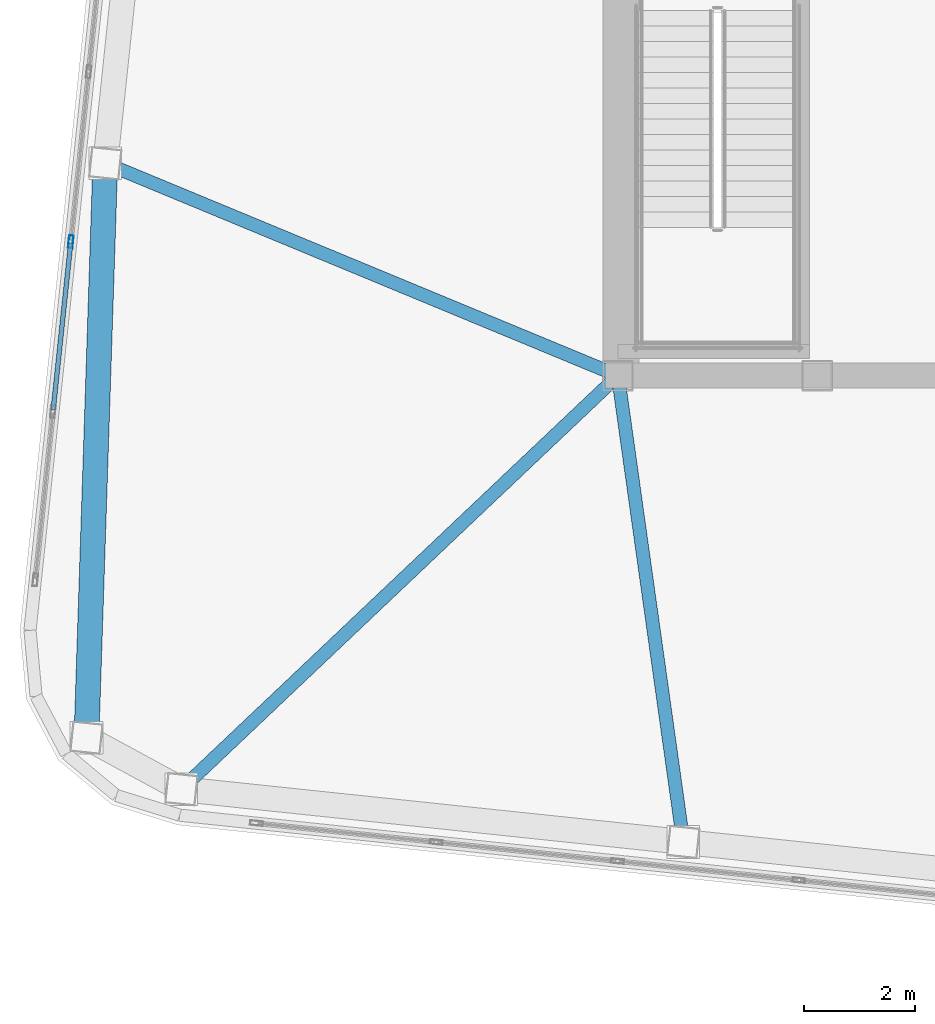
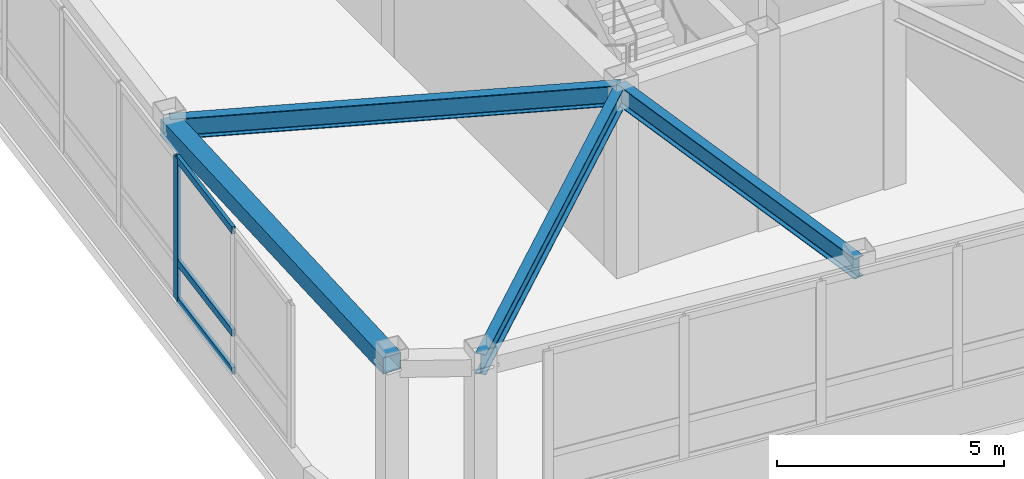
# One storey, part 3 of 23: 4 beams, 4 members, 1 element without a shape of its own.
"""IFC4 building model written with IfcOpenShell, lengths in metres."""

from ifc_helpers import new_model, si_unit, direction, frame, origin, origin_2d, place, context, subcontext, project, spatial, hollow_rectangle, i_section, extrude, material, layer, layer_set, material_profile, profile_set, type_object, element, aggregate, save


model = new_model("IFC4")

# Units and contexts
model_context = context("Model", 3, precision=1e-05, world=origin(), true_north=direction((0.0, 1.0)))
body_context = subcontext(model_context, "Body", "Model", "MODEL_VIEW")
ifc_project = project(units=[si_unit("LENGTHUNIT", "METRE"), si_unit("AREAUNIT", "SQUARE_METRE"), si_unit("VOLUMEUNIT", "CUBIC_METRE"), si_unit("PLANEANGLEUNIT", "RADIAN"), si_unit("MASSUNIT", "GRAM", prefix="KILO")], contexts=[model_context])

# Site, building, storey
site_placement = place(None, origin())
site = spatial("IfcSite", under=ifc_project, at=site_placement, CompositionType="ELEMENT")
building_placement = place(site_placement, origin())
building = spatial("IfcBuilding", under=site, at=building_placement, Name="Voryun Gate Residences", CompositionType="ELEMENT")
storey_placement = place(building_placement, frame((0.0, 0.0, 331.89990234375)))
storey = spatial("IfcBuildingStorey", under=building, at=storey_placement, Name="L81", CompositionType="ELEMENT", Elevation=331.89990234375)

# Beams
ifc_material_1 = material(Name="Steel SM355", Category="steel")
ifc_material_profile_1 = material_profile(ifc_material_1, hollow_rectangle(XDim=0.449951171875, YDim=0.449951171875, WallThickness=0.01806640625, at=origin_2d()), Name="BOX-450x450x18")
ifc_profile_set_1 = profile_set([ifc_material_profile_1], Name="Steel SM355")
beam_type_1 = type_object("IfcBeamType", Name="BM_CROWN_RING", PredefinedType="BEAM", material=ifc_profile_set_1)
beam_1_placement = place(storey_placement, frame((-28.464111328125, -3.56201171875, 4.800048828125), z_axis=(-0.032704208853, -0.999465074289, 0.0), x_axis=(0.999465074289, -0.032704208853, 0.0)))
element("IfcBeam", 1, at=beam_1_placement, inside=storey, type_object=beam_type_1, Name="BM-L81-SPAND-19", PredefinedType="BEAM", context=body_context, shape_type="SweptSolid", body=[
    extrude(hollow_rectangle(XDim=0.449951171875, YDim=0.449951171875, WallThickness=0.01806640625, at=origin_2d()), origin(), (0.0, 0.0, 1.0), 10.384033203125),
])
ifc_material_2 = material(Name="Steel SM355", Category="steel")
ifc_material_profile_2 = material_profile(ifc_material_2, i_section(OverallWidth=0.239990234375, OverallDepth=0.550048828125, WebThickness=0.011962890625, FlangeThickness=0.02001953125, FilletRadius=0.01806640625, at=origin_2d()), Name="H-550x240x12x20")
ifc_profile_set_2 = profile_set([ifc_material_profile_2], Name="Steel SM355")
beam_type_2 = type_object("IfcBeamType", Name="BM_GIRD_550", PredefinedType="USERDEFINED", material=ifc_profile_set_2)
beam_2_placement = place(storey_placement, frame((-19.199951171875, -7.39990234375, 4.75), z_axis=(-0.726024122139, -0.687669233042, 0.0), x_axis=(0.687669233042, -0.726024122139, 0.0)))
element("IfcBeam", 2, at=beam_2_placement, inside=storey, type_object=beam_type_2, Name="BM-L81-RAD-S1", ObjectType="GIRDER", PredefinedType="USERDEFINED", context=body_context, shape_type="SweptSolid", body=[
    extrude(i_section(OverallWidth=0.239990234375, OverallDepth=0.550048828125, WebThickness=0.011962890625, FlangeThickness=0.02001953125, FilletRadius=0.01806640625, at=origin_2d()), origin(), (0.0, 0.0, 1.0), 10.865478515625),
])
beam_3_placement = place(storey_placement, frame((-19.199951171875, -7.39990234375, 4.75), z_axis=(0.138865687617, -0.990311224213, 0.0), x_axis=(0.990311224213, 0.138865687617, 0.0)))
element("IfcBeam", 3, at=beam_3_placement, inside=storey, type_object=beam_type_2, Name="BM-L81-RAD-S2", ObjectType="GIRDER", PredefinedType="USERDEFINED", context=body_context, shape_type="SweptSolid", body=[
    extrude(i_section(OverallWidth=0.239990234375, OverallDepth=0.550048828125, WebThickness=0.011962890625, FlangeThickness=0.02001953125, FilletRadius=0.01806640625, at=origin_2d()), origin(), (0.0, 0.0, 1.0), 8.507568359375),
])
beam_4_placement = place(storey_placement, frame((-19.199951171875, -7.39990234375, 4.75), z_axis=(-0.923860145027, 0.382730234539, 0.0), x_axis=(-0.382730234539, -0.923860145027, 0.0)))
element("IfcBeam", 4, at=beam_4_placement, inside=storey, type_object=beam_type_2, Name="BM-L81-RAD-W2", ObjectType="GIRDER", PredefinedType="USERDEFINED", context=body_context, shape_type="SweptSolid", body=[
    extrude(i_section(OverallWidth=0.239990234375, OverallDepth=0.550048828125, WebThickness=0.011962890625, FlangeThickness=0.02001953125, FilletRadius=0.01806640625, at=origin_2d()), origin(), (0.0, 0.0, 1.0), 10.027587890625),
])

# Curtain wall, members
ifc_material_3 = material(Name="Anodised aluminium", Category="aluminium")
ifc_layer = layer(ifc_material_3, 0.22998046875, Name="CW_SYS_LANTERN_DARK_GLASS")
ifc_layer_set = layer_set([ifc_layer], Name="Anodised aluminium")
curtain_wall_type = type_object("IfcCurtainWallType", Name="CW_SYS_LANTERN_DARK_GLASS", PredefinedType="NOTDEFINED", material=ifc_layer_set)
curtain_wall_placement = place(storey_placement, origin())
curtain_wall = element("IfcCurtainWall", 5, at=curtain_wall_placement, inside=storey, type_object=curtain_wall_type, Name="Curtain wall CW6-L81-06", PredefinedType="NOTDEFINED")
ifc_material_4 = material(Name="Anodised aluminium", Category="aluminium")
ifc_material_profile_3 = material_profile(ifc_material_4, hollow_rectangle(XDim=0.0849609375, YDim=0.22998046875, WallThickness=0.006103515625, at=origin_2d()), Name="ALU-MULL-230x85x6")
ifc_profile_set_3 = profile_set([ifc_material_profile_3], Name="Anodised aluminium")
member_type_1 = type_object("IfcMemberType", Name="CW_MULL_LANT", PredefinedType="MULLION", material=ifc_profile_set_3)
member_1_placement = place(storey_placement, frame((-29.08544921875, -4.978515625, 1.190185546875), z_axis=(0.0, 0.0, 1.0), x_axis=(-0.994521943608, 0.104528004296, 0.0)))
member_1 = element("IfcMember", 6, at=member_1_placement, type_object=member_type_1, Name="CW6 mullion 3", PredefinedType="MULLION", context=body_context, shape_type="SweptSolid", body=[
    extrude(hollow_rectangle(XDim=0.0849609375, YDim=0.22998046875, WallThickness=0.006103515625, at=origin_2d()), origin(), (0.0, 0.0, 1.0), 3.8349609375),
])
ifc_material_5 = material(Name="Anodised aluminium", Category="aluminium")
ifc_material_profile_4 = material_profile(ifc_material_5, hollow_rectangle(XDim=0.0849609375, YDim=0.18994140625, WallThickness=0.006103515625, at=origin_2d()), Name="ALU-TRAN-190x85x6")
ifc_profile_set_4 = profile_set([ifc_material_profile_4], Name="Anodised aluminium")
member_type_2 = type_object("IfcMemberType", Name="CW_TRAN_LANT", PredefinedType="USERDEFINED", material=ifc_profile_set_4)
member_2_placement = place(storey_placement, frame((-29.405029296875, -8.01953125, 1.22021484375), z_axis=(0.104500100479, 0.994524876009, 0.0), x_axis=(-0.994524876009, 0.104500100479, 0.0)))
member_2 = element("IfcMember", 7, at=member_2_placement, type_object=member_type_2, Name="CW6 transom 2.1", ObjectType="TRANSOM", PredefinedType="USERDEFINED", context=body_context, shape_type="SweptSolid", body=[
    extrude(hollow_rectangle(XDim=0.0849609375, YDim=0.18994140625, WallThickness=0.006103515625, at=origin_2d()), origin(), (0.0, 0.0, 1.0), 3.02783203125),
])
member_3_placement = place(storey_placement, frame((-29.405029296875, -8.01953125, 2.239990234375), z_axis=(0.104500100479, 0.994524876009, 0.0), x_axis=(-0.994524876009, 0.104500100479, 0.0)))
member_3 = element("IfcMember", 8, at=member_3_placement, type_object=member_type_2, Name="CW6 transom 2.2", ObjectType="TRANSOM", PredefinedType="USERDEFINED", context=body_context, shape_type="SweptSolid", body=[
    extrude(hollow_rectangle(XDim=0.0849609375, YDim=0.18994140625, WallThickness=0.006103515625, at=origin_2d()), origin(), (0.0, 0.0, 1.0), 3.02783203125),
])
member_4_placement = place(storey_placement, frame((-29.405029296875, -8.01953125, 4.9951171875), z_axis=(0.104500100479, 0.994524876009, 0.0), x_axis=(-0.994524876009, 0.104500100479, 0.0)))
member_4 = element("IfcMember", 9, at=member_4_placement, type_object=member_type_2, Name="CW6 transom 2.3", ObjectType="TRANSOM", PredefinedType="USERDEFINED", context=body_context, shape_type="SweptSolid", body=[
    extrude(hollow_rectangle(XDim=0.0849609375, YDim=0.18994140625, WallThickness=0.006103515625, at=origin_2d()), origin(), (0.0, 0.0, 1.0), 3.02783203125),
])
aggregate(curtain_wall, [member_1, member_2, member_3, member_4])

save(model, "model.ifc")
